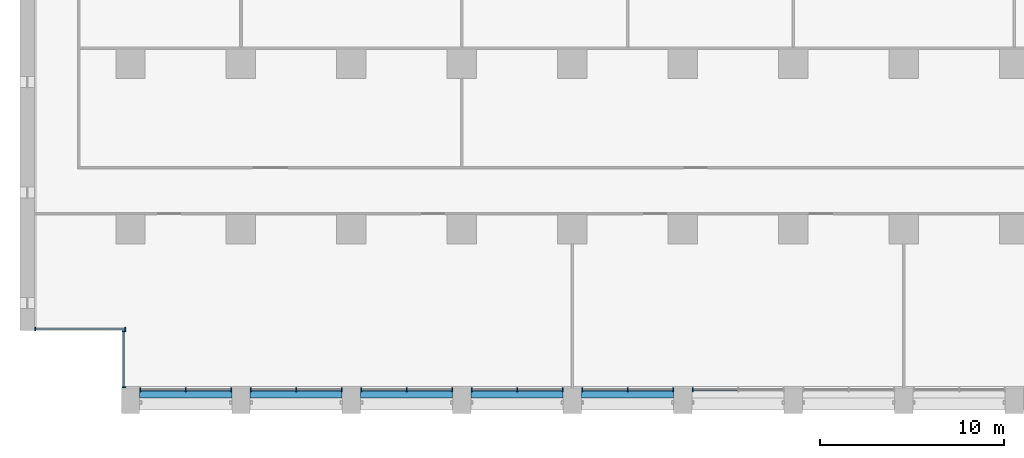
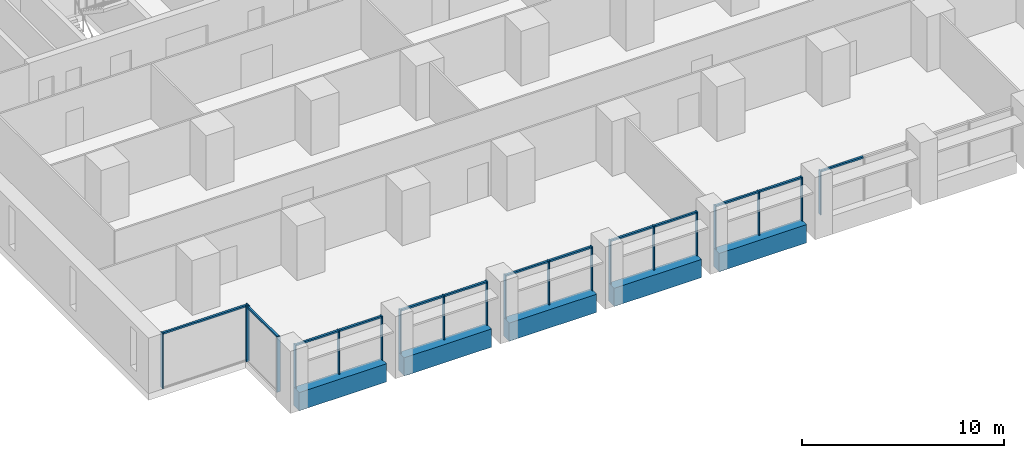
# One storey, part 2 of 17: 33 members, 5 beams, 8 elements without a shape of their own.
"""IFC4 building model written with IfcOpenShell, lengths in metres."""

import ifcopenshell
import ifcopenshell.guid

model = None  # the IFC model being written
_history = None  # IfcOwnerHistory: only IFC2X3 demands one
_inside = {}  # id of a spatial element -> (the spatial element, [elements in it])
_under = {}  # id of a project, library or spatial element -> (it, [spatial elements below it])
_declared = {}  # id of a project -> (the project, [libraries it declares])
_typed = {}  # id of a type object -> (the type object, [elements of that type])
_made_of = {}  # id of a material, layer set ... -> (it, [elements and type objects made of it])


def new_model(schema):
    """Start an empty IFC model of exactly this schema.

    Asked for "IFC4X3", IfcOpenShell would pick the latest addendum, in which some entities
    have other attributes; the version numbers below select the first issue.
    IFC2X3 requires an IfcOwnerHistory on every rooted entity: one is made here for all.
    """
    global model, _history
    if schema == "IFC4X3":
        model = ifcopenshell.file(schema_version=(4, 3, 0, 0))
    else:
        model = ifcopenshell.file(schema=schema)
    _inside.clear()
    _under.clear()
    _declared.clear()
    _typed.clear()
    _made_of.clear()
    _history = None
    if model.schema == "IFC2X3":
        org = make("IfcOrganization", Name="unknown")
        user = make(
            "IfcPersonAndOrganization",
            ThePerson=make("IfcPerson", FamilyName="unknown"),
            TheOrganization=org,
        )
        app = make(
            "IfcApplication",
            ApplicationDeveloper=org,
            Version="unknown",
            ApplicationFullName="unknown",
            ApplicationIdentifier="unknown",
        )
        _history = make(
            "IfcOwnerHistory",
            OwningUser=user,
            OwningApplication=app,
            ChangeAction="ADDED",
            CreationDate=0,
        )
    return model


def make(cls, **values):
    """One entity of the class cls with the attributes given. An attribute that is None is left unset."""
    return model.create_entity(
        cls, **{name: value for name, value in values.items() if value is not None}
    )


def rooted(cls, **values):
    """An entity with a GlobalId (a new one), such as an element, a storey or a relation."""
    return make(cls, GlobalId=ifcopenshell.guid.new(), OwnerHistory=_history, **values)


def si_unit(unit_type, name, prefix=None):
    """IfcSIUnit, for example si_unit("LENGTHUNIT", "METRE", prefix="MILLI")."""
    return make("IfcSIUnit", UnitType=unit_type, Prefix=prefix, Name=name)


def assignment(units):
    """IfcUnitAssignment: the units of a project."""
    return None if units is None else make("IfcUnitAssignment", Units=units)


def point(xyz):
    """IfcCartesianPoint."""
    return None if xyz is None else make("IfcCartesianPoint", Coordinates=xyz)


def direction(xyz):
    """IfcDirection."""
    return None if xyz is None else make("IfcDirection", DirectionRatios=xyz)


def frame(location, z_axis=None, x_axis=None):
    """IfcAxis2Placement3D, a coordinate frame: its origin and axes. An axis left out is left unset."""
    return make(
        "IfcAxis2Placement3D",
        Location=point(location),
        Axis=direction(z_axis),
        RefDirection=direction(x_axis),
    )


def frame_2d(location, x_axis=None):
    """IfcAxis2Placement2D, a coordinate frame in the plane: its origin and x axis."""
    return make(
        "IfcAxis2Placement2D", Location=point(location), RefDirection=direction(x_axis)
    )


def origin():
    """The frame at (0, 0, 0) with its axes left unset."""
    return frame((0.0, 0.0, 0.0))


def origin_2d():
    """The frame at (0, 0) in the plane with its x axis left unset."""
    return frame_2d((0.0, 0.0))


def place(relative_to, where):
    """IfcLocalPlacement: puts the frame where relative to a parent placement (None: the world)."""
    return make(
        "IfcLocalPlacement", PlacementRelTo=relative_to, RelativePlacement=where
    )


def context(
    kind, dimensions, precision=None, world=None, true_north=None, identifier=None
):
    """IfcGeometricRepresentationContext, for example the 3D "Model" context."""
    return make(
        "IfcGeometricRepresentationContext",
        ContextIdentifier=identifier,
        ContextType=kind,
        CoordinateSpaceDimension=dimensions,
        Precision=precision,
        WorldCoordinateSystem=world,
        TrueNorth=true_north,
    )


def subcontext(parent, identifier, kind, view, scale=None):
    """IfcGeometricRepresentationSubContext, for example "Body" below "Model"."""
    return make(
        "IfcGeometricRepresentationSubContext",
        ContextIdentifier=identifier,
        ContextType=kind,
        ParentContext=parent,
        TargetScale=scale,
        TargetView=view,
    )


def project(units=None, contexts=None):
    """IfcProject with its units and contexts."""
    return rooted(
        "IfcProject",
        Name="project",
        RepresentationContexts=contexts,
        UnitsInContext=assignment(units),
    )


def spatial(cls, under=None, at=None, **own):
    """A site, building, storey or space (cls), placed at a placement, below another one or the project."""
    s = rooted(cls, ObjectPlacement=at, **own)
    if under is not None:
        _under.setdefault(under.id(), (under, []))[1].append(s)
    return s


def profile(cls, at=None, kind="AREA", **sizes):
    """A parametric profile (cls). Its sizes go by their IFC names, for example OverallWidth=200.0."""
    return make(cls, ProfileType=kind, Position=at, **sizes)


def rectangle(**sizes):
    """IfcRectangleProfileDef."""
    return profile("IfcRectangleProfileDef", **sizes)


def extrude(swept, where, along, depth):
    """IfcExtrudedAreaSolid: the profile swept, set in the frame where, extruded along a direction by depth."""
    return make(
        "IfcExtrudedAreaSolid",
        SweptArea=swept,
        Position=where,
        ExtrudedDirection=direction(along),
        Depth=depth,
    )


def shape(context_of_items, identifier, shape_type, items):
    """IfcShapeRepresentation: the items that make up one representation, for example the "Body"."""
    return make(
        "IfcShapeRepresentation",
        ContextOfItems=context_of_items,
        RepresentationIdentifier=identifier,
        RepresentationType=shape_type,
        Items=items,
    )


def material(Name=None, Category=None):
    """IfcMaterial."""
    return make("IfcMaterial", Name=Name, Category=Category)


def material_profile(
    of_material, cross_section, Name=None, Category=None, Priority=None
):
    """IfcMaterialProfile: a cross section and its material."""
    return make(
        "IfcMaterialProfile",
        Name=Name,
        Material=of_material,
        Profile=cross_section,
        Priority=Priority,
        Category=Category,
    )


def profile_set(profiles, Name=None, composite=None):
    """IfcMaterialProfileSet."""
    return make(
        "IfcMaterialProfileSet",
        Name=Name,
        MaterialProfiles=profiles,
        CompositeProfile=composite,
    )


def made_of(thing, what):
    """Note that an element or type object is made of a material, layer set ...; save() writes the relation."""
    if what is not None:
        _made_of.setdefault(what.id(), (what, []))[1].append(thing)
    return thing


def type_object(cls, material=None, **own):
    """A type object (cls), such as IfcWallType, which elements share."""
    return made_of(rooted(cls, **own), material)


def element(
    cls,
    number,
    at=None,
    inside=None,
    cuts=None,
    type_object=None,
    material=None,
    context=None,
    identifier="Body",
    shape_type=None,
    held_by="IfcProductDefinitionShape",
    body=None,
    shapes=None,
    **own,
):
    """One element of the class cls, such as IfcWall. Its Tag is "e" and its number.

    at: its placement. inside: the storey or other place that contains it. cuts: it is an
    opening in that element (IfcRelVoidsElement). A single representation is given by context,
    identifier, shape_type and body (its items); several are given by shapes. held_by: the class
    of the entity that holds the representations. save() writes the other relations.
    """
    e = rooted(cls, Tag="e%d" % number, ObjectPlacement=at, **own)
    if body is not None:
        shapes = [shape(context, identifier, shape_type, body)]
    if shapes is not None:
        e.Representation = make(held_by, Representations=shapes)
    if inside is not None:
        _inside.setdefault(inside.id(), (inside, []))[1].append(e)
    if cuts is not None:
        rooted(
            "IfcRelVoidsElement", RelatingBuildingElement=cuts, RelatedOpeningElement=e
        )
    if type_object is not None:
        _typed.setdefault(type_object.id(), (type_object, []))[1].append(e)
    return made_of(e, material)


def aggregate(whole, parts):
    """IfcRelAggregates: a whole, such as a stair, and the parts it consists of."""
    return rooted("IfcRelAggregates", RelatingObject=whole, RelatedObjects=parts)


def save(model, path):
    """Write the relations noted so far, then the file.

    IfcRelAggregates (storeys below a building ...), IfcRelContainedInSpatialStructure (elements
    in a storey), IfcRelDefinesByType, IfcRelAssociatesMaterial and IfcRelDeclares: one each for
    every whole, place, type object, material and project.
    """
    for whole, parts in _under.values():
        aggregate(whole, parts)
    for where, things in _inside.values():
        rooted(
            "IfcRelContainedInSpatialStructure",
            RelatedElements=things,
            RelatingStructure=where,
        )
    for kind, things in _typed.values():
        rooted("IfcRelDefinesByType", RelatedObjects=things, RelatingType=kind)
    for what, things in _made_of.values():
        rooted("IfcRelAssociatesMaterial", RelatedObjects=things, RelatingMaterial=what)
    for by, libraries in _declared.values():
        rooted("IfcRelDeclares", RelatingContext=by, RelatedDefinitions=libraries)
    model.write(path)


model = new_model("IFC4")

# Units and contexts
model_context = context("Model", 3, precision=1e-05, world=origin(), true_north=direction((0.0, 1.0)))
body_context = subcontext(model_context, "Body", "Model", "MODEL_VIEW")
ifc_project = project(units=[si_unit("LENGTHUNIT", "METRE"), si_unit("AREAUNIT", "SQUARE_METRE"), si_unit("VOLUMEUNIT", "CUBIC_METRE"), si_unit("PLANEANGLEUNIT", "RADIAN"), si_unit("MASSUNIT", "GRAM", prefix="KILO")], contexts=[model_context])

# Site, building, storey
site_placement = place(None, origin())
site = spatial("IfcSite", under=ifc_project, at=site_placement, CompositionType="ELEMENT")
building_placement = place(site_placement, origin())
building = spatial("IfcBuilding", under=site, at=building_placement, Name="Calvaro Tower", CompositionType="ELEMENT")
storey_placement = place(building_placement, frame((0.0, 0.0, 67.5)))
storey = spatial("IfcBuildingStorey", under=building, at=storey_placement, Name="L16", CompositionType="ELEMENT", Elevation=67.5)

# Curtain wall, members
ifc_material_1 = material(Name="Anodised aluminium", Category="aluminium")
curtain_wall_type = type_object("IfcCurtainWallType", Name="Office curtain wall, lower zone", PredefinedType="NOTDEFINED", material=ifc_material_1)
curtain_wall_1_placement = place(storey_placement, origin())
curtain_wall_1 = element("IfcCurtainWall", 1, at=curtain_wall_1_placement, inside=storey, type_object=curtain_wall_type, Name="CW1 south curtain wall", PredefinedType="NOTDEFINED")
ifc_material_2 = material(Name="Anodised aluminium", Category="aluminium")
ifc_material_profile_1 = material_profile(ifc_material_2, rectangle(XDim=0.199951171875, YDim=0.06005859375, at=origin_2d()), Name="Mullion S1 60 x 200")
ifc_profile_set_1 = profile_set([ifc_material_profile_1], Name="Anodised aluminium")
member_type_1 = type_object("IfcMemberType", Name="Mullion S1 60 x 200", PredefinedType="MULLION", material=ifc_profile_set_1)
member_1_placement = place(storey_placement, frame((6.530029296875, 1.300048828125, 0.0), z_axis=(0.0, 0.0, 1.0), x_axis=(0.0, 1.0, 0.0)))
member_1 = element("IfcMember", 2, at=member_1_placement, type_object=member_type_1, Name="CW1 mullion 1", PredefinedType="MULLION", context=body_context, shape_type="SweptSolid", body=[
    extrude(rectangle(XDim=0.199951171875, YDim=0.06005859375, at=origin_2d()), origin(), (0.0, 0.0, 1.0), 2.64990234375),
])
member_2_placement = place(storey_placement, frame((9.0, 1.300048828125, 0.0), z_axis=(0.0, 0.0, 1.0), x_axis=(0.0, 1.0, 0.0)))
member_2 = element("IfcMember", 3, at=member_2_placement, type_object=member_type_1, Name="CW1 mullion 2", PredefinedType="MULLION", context=body_context, shape_type="SweptSolid", body=[
    extrude(rectangle(XDim=0.199951171875, YDim=0.06005859375, at=origin_2d()), origin(), (0.0, 0.0, 1.0), 2.64990234375),
])
member_3_placement = place(storey_placement, frame((11.469970703125, 1.300048828125, 0.0), z_axis=(0.0, 0.0, 1.0), x_axis=(0.0, 1.0, 0.0)))
member_3 = element("IfcMember", 4, at=member_3_placement, type_object=member_type_1, Name="CW1 mullion 3", PredefinedType="MULLION", context=body_context, shape_type="SweptSolid", body=[
    extrude(rectangle(XDim=0.199951171875, YDim=0.06005859375, at=origin_2d()), origin(), (0.0, 0.0, 1.0), 2.64990234375),
])

curtain_wall_2_placement = place(storey_placement, origin())
curtain_wall_2 = element("IfcCurtainWall", 5, at=curtain_wall_2_placement, inside=storey, type_object=curtain_wall_type, Name="CW1 south curtain wall", PredefinedType="NOTDEFINED")
member_4_placement = place(storey_placement, frame((12.530029296875, 1.300048828125, 0.0), z_axis=(0.0, 0.0, 1.0), x_axis=(0.0, 1.0, 0.0)))
member_4 = element("IfcMember", 6, at=member_4_placement, type_object=member_type_1, Name="CW1 mullion 1", PredefinedType="MULLION", context=body_context, shape_type="SweptSolid", body=[
    extrude(rectangle(XDim=0.199951171875, YDim=0.06005859375, at=origin_2d()), origin(), (0.0, 0.0, 1.0), 2.64990234375),
])
member_5_placement = place(storey_placement, frame((15.0, 1.300048828125, 0.0), z_axis=(0.0, 0.0, 1.0), x_axis=(0.0, 1.0, 0.0)))
member_5 = element("IfcMember", 7, at=member_5_placement, type_object=member_type_1, Name="CW1 mullion 2", PredefinedType="MULLION", context=body_context, shape_type="SweptSolid", body=[
    extrude(rectangle(XDim=0.199951171875, YDim=0.06005859375, at=origin_2d()), origin(), (0.0, 0.0, 1.0), 2.64990234375),
])
member_6_placement = place(storey_placement, frame((17.469970703125, 1.300048828125, 0.0), z_axis=(0.0, 0.0, 1.0), x_axis=(0.0, 1.0, 0.0)))
member_6 = element("IfcMember", 8, at=member_6_placement, type_object=member_type_1, Name="CW1 mullion 3", PredefinedType="MULLION", context=body_context, shape_type="SweptSolid", body=[
    extrude(rectangle(XDim=0.199951171875, YDim=0.06005859375, at=origin_2d()), origin(), (0.0, 0.0, 1.0), 2.64990234375),
])

curtain_wall_3_placement = place(storey_placement, origin())
curtain_wall_3 = element("IfcCurtainWall", 9, at=curtain_wall_3_placement, inside=storey, type_object=curtain_wall_type, Name="CW1 south curtain wall", PredefinedType="NOTDEFINED")
member_7_placement = place(storey_placement, frame((18.530029296875, 1.300048828125, 0.0), z_axis=(0.0, 0.0, 1.0), x_axis=(0.0, 1.0, 0.0)))
member_7 = element("IfcMember", 10, at=member_7_placement, type_object=member_type_1, Name="CW1 mullion 1", PredefinedType="MULLION", context=body_context, shape_type="SweptSolid", body=[
    extrude(rectangle(XDim=0.199951171875, YDim=0.06005859375, at=origin_2d()), origin(), (0.0, 0.0, 1.0), 2.64990234375),
])
member_8_placement = place(storey_placement, frame((21.0, 1.300048828125, 0.0), z_axis=(0.0, 0.0, 1.0), x_axis=(0.0, 1.0, 0.0)))
member_8 = element("IfcMember", 11, at=member_8_placement, type_object=member_type_1, Name="CW1 mullion 2", PredefinedType="MULLION", context=body_context, shape_type="SweptSolid", body=[
    extrude(rectangle(XDim=0.199951171875, YDim=0.06005859375, at=origin_2d()), origin(), (0.0, 0.0, 1.0), 2.64990234375),
])
member_9_placement = place(storey_placement, frame((23.469970703125, 1.300048828125, 0.0), z_axis=(0.0, 0.0, 1.0), x_axis=(0.0, 1.0, 0.0)))
member_9 = element("IfcMember", 12, at=member_9_placement, type_object=member_type_1, Name="CW1 mullion 3", PredefinedType="MULLION", context=body_context, shape_type="SweptSolid", body=[
    extrude(rectangle(XDim=0.199951171875, YDim=0.06005859375, at=origin_2d()), origin(), (0.0, 0.0, 1.0), 2.64990234375),
])

curtain_wall_4_placement = place(storey_placement, origin())
curtain_wall_4 = element("IfcCurtainWall", 13, at=curtain_wall_4_placement, inside=storey, type_object=curtain_wall_type, Name="CW1 south curtain wall", PredefinedType="NOTDEFINED")
member_10_placement = place(storey_placement, frame((24.530029296875, 1.300048828125, 0.0), z_axis=(0.0, 0.0, 1.0), x_axis=(0.0, 1.0, 0.0)))
member_10 = element("IfcMember", 14, at=member_10_placement, type_object=member_type_1, Name="CW1 mullion 1", PredefinedType="MULLION", context=body_context, shape_type="SweptSolid", body=[
    extrude(rectangle(XDim=0.199951171875, YDim=0.06005859375, at=origin_2d()), origin(), (0.0, 0.0, 1.0), 2.64990234375),
])
member_11_placement = place(storey_placement, frame((27.0, 1.300048828125, 0.0), z_axis=(0.0, 0.0, 1.0), x_axis=(0.0, 1.0, 0.0)))
member_11 = element("IfcMember", 15, at=member_11_placement, type_object=member_type_1, Name="CW1 mullion 2", PredefinedType="MULLION", context=body_context, shape_type="SweptSolid", body=[
    extrude(rectangle(XDim=0.199951171875, YDim=0.06005859375, at=origin_2d()), origin(), (0.0, 0.0, 1.0), 2.64990234375),
])
member_12_placement = place(storey_placement, frame((29.469970703125, 1.300048828125, 0.0), z_axis=(0.0, 0.0, 1.0), x_axis=(0.0, 1.0, 0.0)))
member_12 = element("IfcMember", 16, at=member_12_placement, type_object=member_type_1, Name="CW1 mullion 3", PredefinedType="MULLION", context=body_context, shape_type="SweptSolid", body=[
    extrude(rectangle(XDim=0.199951171875, YDim=0.06005859375, at=origin_2d()), origin(), (0.0, 0.0, 1.0), 2.64990234375),
])

curtain_wall_5_placement = place(storey_placement, origin())
curtain_wall_5 = element("IfcCurtainWall", 17, at=curtain_wall_5_placement, inside=storey, type_object=curtain_wall_type, Name="CW1 south curtain wall", PredefinedType="NOTDEFINED")
member_13_placement = place(storey_placement, frame((30.530029296875, 1.300048828125, 0.0), z_axis=(0.0, 0.0, 1.0), x_axis=(0.0, 1.0, 0.0)))
member_13 = element("IfcMember", 18, at=member_13_placement, type_object=member_type_1, Name="CW1 mullion 1", PredefinedType="MULLION", context=body_context, shape_type="SweptSolid", body=[
    extrude(rectangle(XDim=0.199951171875, YDim=0.06005859375, at=origin_2d()), origin(), (0.0, 0.0, 1.0), 2.64990234375),
])
member_14_placement = place(storey_placement, frame((33.0, 1.300048828125, 0.0), z_axis=(0.0, 0.0, 1.0), x_axis=(0.0, 1.0, 0.0)))
member_14 = element("IfcMember", 19, at=member_14_placement, type_object=member_type_1, Name="CW1 mullion 2", PredefinedType="MULLION", context=body_context, shape_type="SweptSolid", body=[
    extrude(rectangle(XDim=0.199951171875, YDim=0.06005859375, at=origin_2d()), origin(), (0.0, 0.0, 1.0), 2.64990234375),
])
member_15_placement = place(storey_placement, frame((35.469970703125, 1.300048828125, 0.0), z_axis=(0.0, 0.0, 1.0), x_axis=(0.0, 1.0, 0.0)))
member_15 = element("IfcMember", 20, at=member_15_placement, type_object=member_type_1, Name="CW1 mullion 3", PredefinedType="MULLION", context=body_context, shape_type="SweptSolid", body=[
    extrude(rectangle(XDim=0.199951171875, YDim=0.06005859375, at=origin_2d()), origin(), (0.0, 0.0, 1.0), 2.64990234375),
])

# Curtain wall, member
curtain_wall_6_placement = place(storey_placement, origin())
curtain_wall_6 = element("IfcCurtainWall", 21, at=curtain_wall_6_placement, inside=storey, type_object=curtain_wall_type, Name="CW1 south curtain wall", PredefinedType="NOTDEFINED")
member_16_placement = place(storey_placement, frame((36.530029296875, 1.300048828125, 0.0), z_axis=(0.0, 0.0, 1.0), x_axis=(0.0, 1.0, 0.0)))
member_16 = element("IfcMember", 22, at=member_16_placement, type_object=member_type_1, Name="CW1 mullion 1", PredefinedType="MULLION", context=body_context, shape_type="SweptSolid", body=[
    extrude(rectangle(XDim=0.199951171875, YDim=0.06005859375, at=origin_2d()), origin(), (0.0, 0.0, 1.0), 2.64990234375),
])

# Curtain wall, members
curtain_wall_7_placement = place(storey_placement, origin())
curtain_wall_7 = element("IfcCurtainWall", 23, at=curtain_wall_7_placement, inside=storey, type_object=curtain_wall_type, Name="CW1 corner curtain wall", PredefinedType="NOTDEFINED")
member_17_placement = place(storey_placement, frame((5.64990234375, 1.429931640625, 0.0), z_axis=(0.0, 0.0, 1.0), x_axis=(-1.0, 0.0, 0.0)))
member_17 = element("IfcMember", 24, at=member_17_placement, type_object=member_type_1, Name="CW1 mullion 1", PredefinedType="MULLION", context=body_context, shape_type="SweptSolid", body=[
    extrude(rectangle(XDim=0.199951171875, YDim=0.06005859375, at=origin_2d()), origin(), (0.0, 0.0, 1.0), 3.35009765625),
])
member_18_placement = place(storey_placement, frame((5.64990234375, 4.469970703125, 0.0), z_axis=(0.0, 0.0, 1.0), x_axis=(-1.0, 0.0, 0.0)))
member_18 = element("IfcMember", 25, at=member_18_placement, type_object=member_type_1, Name="CW1 mullion 2", PredefinedType="MULLION", context=body_context, shape_type="SweptSolid", body=[
    extrude(rectangle(XDim=0.199951171875, YDim=0.06005859375, at=origin_2d()), origin(), (0.0, 0.0, 1.0), 3.35009765625),
])

curtain_wall_8_placement = place(storey_placement, origin())
curtain_wall_8 = element("IfcCurtainWall", 26, at=curtain_wall_8_placement, inside=storey, type_object=curtain_wall_type, Name="CW1 corner curtain wall", PredefinedType="NOTDEFINED")
member_19_placement = place(storey_placement, frame((0.830078125, 4.60009765625, 0.0), z_axis=(0.0, 0.0, 1.0), x_axis=(0.0, 1.0, 0.0)))
member_19 = element("IfcMember", 27, at=member_19_placement, type_object=member_type_1, Name="CW1 mullion 1", PredefinedType="MULLION", context=body_context, shape_type="SweptSolid", body=[
    extrude(rectangle(XDim=0.199951171875, YDim=0.06005859375, at=origin_2d()), origin(), (0.0, 0.0, 1.0), 3.35009765625),
])
member_20_placement = place(storey_placement, frame((5.719970703125, 4.60009765625, 0.0), z_axis=(0.0, 0.0, 1.0), x_axis=(0.0, 1.0, 0.0)))
member_20 = element("IfcMember", 28, at=member_20_placement, type_object=member_type_1, Name="CW1 mullion 2", PredefinedType="MULLION", context=body_context, shape_type="SweptSolid", body=[
    extrude(rectangle(XDim=0.199951171875, YDim=0.06005859375, at=origin_2d()), origin(), (0.0, 0.0, 1.0), 3.35009765625),
])

# Beams
ifc_material_3 = material(Name="Concrete C50/60 precast", Category="concrete")
ifc_material_profile_2 = material_profile(ifc_material_3, rectangle(XDim=0.550048828125, YDim=1.10009765625, at=origin_2d()), Name="RC 550x1100")
ifc_profile_set_2 = profile_set([ifc_material_profile_2], Name="Concrete C50/60 precast")
beam_type = type_object("IfcBeamType", Name="Spandrel beam 550x1100 C50/60", PredefinedType="SPANDREL", material=ifc_profile_set_2)
for number, where, z_axis, x_axis, name in (
    (29, (6.5, 1.125, -0.550048828125), (1.0, 0.0, 0.0), (0.0, 1.0, 0.0), "Spandrel beam"),
    (30, (12.5, 1.125, -0.550048828125), (1.0, 0.0, 0.0), (0.0, 1.0, 0.0), "Spandrel beam"),
    (31, (18.5, 1.125, -0.550048828125), (1.0, 0.0, 0.0), (0.0, 1.0, 0.0), "Spandrel beam"),
    (32, (24.5, 1.125, -0.550048828125), (1.0, 0.0, 0.0), (0.0, 1.0, 0.0), "Spandrel beam"),
    (33, (30.5, 1.125, -0.550048828125), (1.0, 0.0, 0.0), (0.0, 1.0, 0.0), "Spandrel beam"),
):
    element("IfcBeam", number, at=place(storey_placement, frame(where, z_axis=z_axis, x_axis=x_axis)), inside=storey, type_object=beam_type, Name=name, PredefinedType="SPANDREL", context=body_context, shape_type="SweptSolid", body=[
        extrude(rectangle(XDim=0.550048828125, YDim=1.10009765625, at=origin_2d()), origin(), (0.0, 0.0, 1.0), 5.0),
    ])

# Member
ifc_material_4 = material(Name="Anodised aluminium", Category="aluminium")
ifc_material_profile_3 = material_profile(ifc_material_4, rectangle(XDim=0.1201171875, YDim=0.10009765625, at=origin_2d()), Name="Transom S1 100 x 120")
ifc_profile_set_3 = profile_set([ifc_material_profile_3], Name="Anodised aluminium")
member_type_2 = type_object("IfcMemberType", Name="Transom S1 100 x 120", PredefinedType="USERDEFINED", material=ifc_profile_set_3)
member_21_placement = place(storey_placement, frame((6.56005859375, 1.300048828125, 2.60009765625), z_axis=(1.0, 0.0, 0.0), x_axis=(0.0, 1.0, 0.0)))
member_21 = element("IfcMember", 34, at=member_21_placement, type_object=member_type_2, Name="CW1 transom 1.1", ObjectType="TRANSOM", PredefinedType="USERDEFINED", context=body_context, shape_type="SweptSolid", body=[
    extrude(rectangle(XDim=0.1201171875, YDim=0.10009765625, at=origin_2d()), origin(), (0.0, 0.0, 1.0), 2.409912109375),
])

member_22_placement = place(storey_placement, frame((9.030029296875, 1.300048828125, 2.60009765625), z_axis=(1.0, 0.0, 0.0), x_axis=(0.0, 1.0, 0.0)))
member_22 = element("IfcMember", 35, at=member_22_placement, type_object=member_type_2, Name="CW1 transom 2.1", ObjectType="TRANSOM", PredefinedType="USERDEFINED", context=body_context, shape_type="SweptSolid", body=[
    extrude(rectangle(XDim=0.1201171875, YDim=0.10009765625, at=origin_2d()), origin(), (0.0, 0.0, 1.0), 2.409912109375),
])

aggregate(curtain_wall_1, [member_1, member_2, member_3, member_21, member_22])

member_23_placement = place(storey_placement, frame((12.56005859375, 1.300048828125, 2.60009765625), z_axis=(1.0, 0.0, 0.0), x_axis=(0.0, 1.0, 0.0)))
member_23 = element("IfcMember", 36, at=member_23_placement, type_object=member_type_2, Name="CW1 transom 1.1", ObjectType="TRANSOM", PredefinedType="USERDEFINED", context=body_context, shape_type="SweptSolid", body=[
    extrude(rectangle(XDim=0.1201171875, YDim=0.10009765625, at=origin_2d()), origin(), (0.0, 0.0, 1.0), 2.409912109375),
])

member_24_placement = place(storey_placement, frame((15.030029296875, 1.300048828125, 2.60009765625), z_axis=(1.0, 0.0, 0.0), x_axis=(0.0, 1.0, 0.0)))
member_24 = element("IfcMember", 37, at=member_24_placement, type_object=member_type_2, Name="CW1 transom 2.1", ObjectType="TRANSOM", PredefinedType="USERDEFINED", context=body_context, shape_type="SweptSolid", body=[
    extrude(rectangle(XDim=0.1201171875, YDim=0.10009765625, at=origin_2d()), origin(), (0.0, 0.0, 1.0), 2.409912109375),
])

aggregate(curtain_wall_2, [member_4, member_5, member_6, member_23, member_24])

member_25_placement = place(storey_placement, frame((18.56005859375, 1.300048828125, 2.60009765625), z_axis=(1.0, 0.0, 0.0), x_axis=(0.0, 1.0, 0.0)))
member_25 = element("IfcMember", 38, at=member_25_placement, type_object=member_type_2, Name="CW1 transom 1.1", ObjectType="TRANSOM", PredefinedType="USERDEFINED", context=body_context, shape_type="SweptSolid", body=[
    extrude(rectangle(XDim=0.1201171875, YDim=0.10009765625, at=origin_2d()), origin(), (0.0, 0.0, 1.0), 2.409912109375),
])

member_26_placement = place(storey_placement, frame((21.030029296875, 1.300048828125, 2.60009765625), z_axis=(1.0, 0.0, 0.0), x_axis=(0.0, 1.0, 0.0)))
member_26 = element("IfcMember", 39, at=member_26_placement, type_object=member_type_2, Name="CW1 transom 2.1", ObjectType="TRANSOM", PredefinedType="USERDEFINED", context=body_context, shape_type="SweptSolid", body=[
    extrude(rectangle(XDim=0.1201171875, YDim=0.10009765625, at=origin_2d()), origin(), (0.0, 0.0, 1.0), 2.409912109375),
])

aggregate(curtain_wall_3, [member_7, member_8, member_9, member_25, member_26])

member_27_placement = place(storey_placement, frame((24.56005859375, 1.300048828125, 2.60009765625), z_axis=(1.0, 0.0, 0.0), x_axis=(0.0, 1.0, 0.0)))
member_27 = element("IfcMember", 40, at=member_27_placement, type_object=member_type_2, Name="CW1 transom 1.1", ObjectType="TRANSOM", PredefinedType="USERDEFINED", context=body_context, shape_type="SweptSolid", body=[
    extrude(rectangle(XDim=0.1201171875, YDim=0.10009765625, at=origin_2d()), origin(), (0.0, 0.0, 1.0), 2.409912109375),
])

member_28_placement = place(storey_placement, frame((27.030029296875, 1.300048828125, 2.60009765625), z_axis=(1.0, 0.0, 0.0), x_axis=(0.0, 1.0, 0.0)))
member_28 = element("IfcMember", 41, at=member_28_placement, type_object=member_type_2, Name="CW1 transom 2.1", ObjectType="TRANSOM", PredefinedType="USERDEFINED", context=body_context, shape_type="SweptSolid", body=[
    extrude(rectangle(XDim=0.1201171875, YDim=0.10009765625, at=origin_2d()), origin(), (0.0, 0.0, 1.0), 2.409912109375),
])

aggregate(curtain_wall_4, [member_10, member_11, member_12, member_27, member_28])

member_29_placement = place(storey_placement, frame((30.56005859375, 1.300048828125, 2.60009765625), z_axis=(1.0, 0.0, 0.0), x_axis=(0.0, 1.0, 0.0)))
member_29 = element("IfcMember", 42, at=member_29_placement, type_object=member_type_2, Name="CW1 transom 1.1", ObjectType="TRANSOM", PredefinedType="USERDEFINED", context=body_context, shape_type="SweptSolid", body=[
    extrude(rectangle(XDim=0.1201171875, YDim=0.10009765625, at=origin_2d()), origin(), (0.0, 0.0, 1.0), 2.409912109375),
])

member_30_placement = place(storey_placement, frame((33.030029296875, 1.300048828125, 2.60009765625), z_axis=(1.0, 0.0, 0.0), x_axis=(0.0, 1.0, 0.0)))
member_30 = element("IfcMember", 43, at=member_30_placement, type_object=member_type_2, Name="CW1 transom 2.1", ObjectType="TRANSOM", PredefinedType="USERDEFINED", context=body_context, shape_type="SweptSolid", body=[
    extrude(rectangle(XDim=0.1201171875, YDim=0.10009765625, at=origin_2d()), origin(), (0.0, 0.0, 1.0), 2.409912109375),
])

aggregate(curtain_wall_5, [member_13, member_14, member_15, member_29, member_30])

member_31_placement = place(storey_placement, frame((36.56005859375, 1.300048828125, 2.60009765625), z_axis=(1.0, 0.0, 0.0), x_axis=(0.0, 1.0, 0.0)))
member_31 = element("IfcMember", 44, at=member_31_placement, type_object=member_type_2, Name="CW1 transom 1.1", ObjectType="TRANSOM", PredefinedType="USERDEFINED", context=body_context, shape_type="SweptSolid", body=[
    extrude(rectangle(XDim=0.1201171875, YDim=0.10009765625, at=origin_2d()), origin(), (0.0, 0.0, 1.0), 2.409912109375),
])

aggregate(curtain_wall_6, [member_16, member_31])

member_32_placement = place(storey_placement, frame((5.64990234375, 1.4599609375, 3.300048828125), z_axis=(0.0, 1.0, 0.0), x_axis=(-1.0, 0.0, 0.0)))
member_32 = element("IfcMember", 45, at=member_32_placement, type_object=member_type_2, Name="CW1 transom 1.1", ObjectType="TRANSOM", PredefinedType="USERDEFINED", context=body_context, shape_type="SweptSolid", body=[
    extrude(rectangle(XDim=0.1201171875, YDim=0.10009765625, at=origin_2d()), origin(), (0.0, 0.0, 1.0), 2.97998046875),
])

aggregate(curtain_wall_7, [member_17, member_18, member_32])

member_33_placement = place(storey_placement, frame((0.860107421875, 4.60009765625, 3.300048828125), z_axis=(1.0, 0.0, 0.0), x_axis=(0.0, 1.0, 0.0)))
member_33 = element("IfcMember", 46, at=member_33_placement, type_object=member_type_2, Name="CW1 transom 1.1", ObjectType="TRANSOM", PredefinedType="USERDEFINED", context=body_context, shape_type="SweptSolid", body=[
    extrude(rectangle(XDim=0.1201171875, YDim=0.10009765625, at=origin_2d()), origin(), (0.0, 0.0, 1.0), 4.829833984375),
])

aggregate(curtain_wall_8, [member_19, member_20, member_33])

save(model, "model.ifc")
